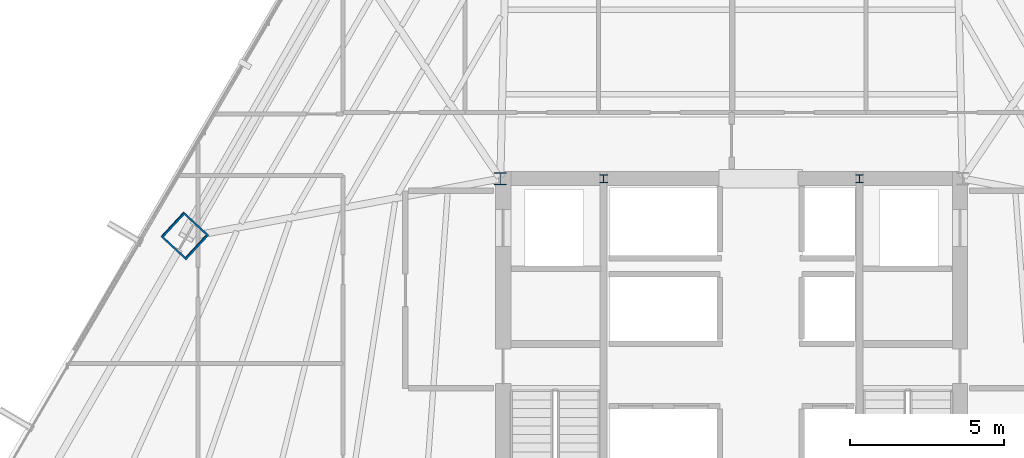
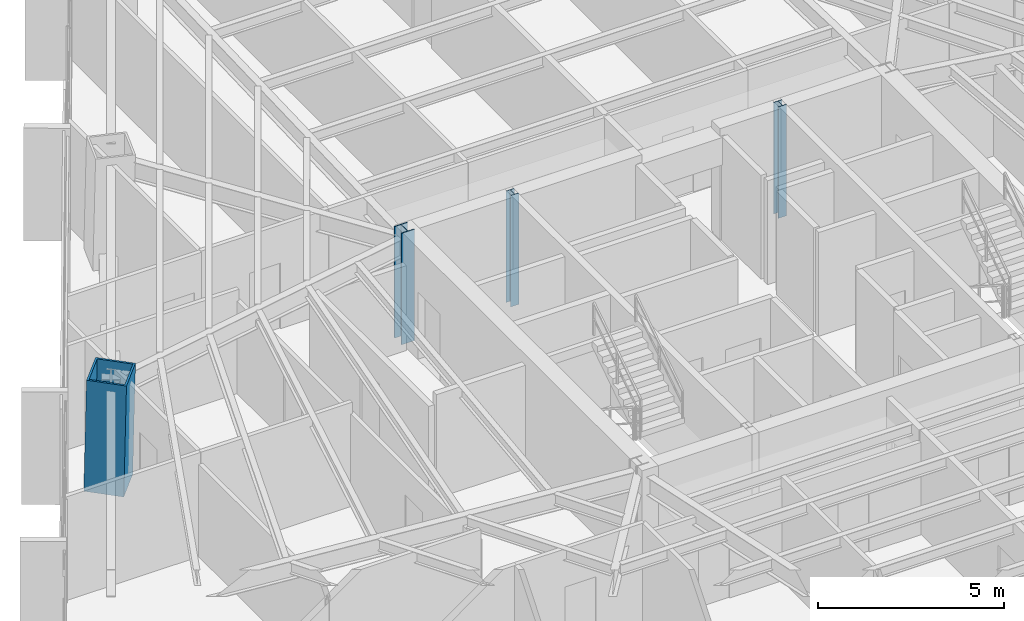
# One storey, part 2 of 37: 4 columns.
"""IFC4 building model written with IfcOpenShell, lengths in metres."""

from ifc_helpers import new_model, si_unit, direction, frame, origin, origin_2d, place, context, subcontext, project, spatial, hollow_rectangle, i_section, extrude, source, transform, mapped, material, material_profile, profile_set, type_object, type_shapes, element, save


model = new_model("IFC4")

# Units and contexts
model_context = context("Model", 3, precision=1e-05, world=origin(), true_north=direction((0.0, 1.0)))
body_context = subcontext(model_context, "Body", "Model", "MODEL_VIEW")
ifc_project = project(units=[si_unit("LENGTHUNIT", "METRE"), si_unit("AREAUNIT", "SQUARE_METRE"), si_unit("VOLUMEUNIT", "CUBIC_METRE"), si_unit("PLANEANGLEUNIT", "RADIAN"), si_unit("MASSUNIT", "GRAM", prefix="KILO")], contexts=[model_context])

# Site, building, storey
site_placement = place(None, origin())
site = spatial("IfcSite", under=ifc_project, at=site_placement, CompositionType="ELEMENT")
building_placement = place(site_placement, origin())
building = spatial("IfcBuilding", under=site, at=building_placement, Name="Caelisora Broadcast Tower", CompositionType="ELEMENT")
storey_placement = place(building_placement, frame((0.0, 0.0, 116.35009765625)))
storey = spatial("IfcBuildingStorey", under=building, at=storey_placement, Name="L30", CompositionType="ELEMENT", Elevation=116.35009765625)

# Columns
ifc_material_1 = material(Name="Steel Grade 350 (AS/NZS 3679.1)", Category="steel")
ifc_material_profile_1 = material_profile(ifc_material_1, i_section(OverallWidth=0.256103515625, OverallDepth=0.260009765625, WebThickness=0.010498046875, FlangeThickness=0.017333984375, at=origin_2d()), Name="Steel Grade 350 (AS/NZS 3679.1)")
ifc_profile_set_1 = profile_set([ifc_material_profile_1], Name="Steel Grade 350 (AS/NZS 3679.1)")
column_type_1 = type_object("IfcColumnType", Name="CC05", PredefinedType="COLUMN", material=ifc_profile_set_1)
shared_shape_1 = source(origin(), body_context, "Body", "SweptSolid", [
    extrude(i_section(OverallWidth=0.256103515625, OverallDepth=0.260009765625, WebThickness=0.010498046875, FlangeThickness=0.017333984375, at=origin_2d()), origin(), (0.0, 0.0, 1.0), 3.64990234375),
])
type_shapes(column_type_1, [shared_shape_1])
for number, where, z_axis, x_axis, name in (
    (1, (33.85009765625, 30.0, 0.0), (0.0, 0.0, 1.0), (1.0, 0.0, 0.0), "L30 column CC05"),
    (2, (42.14990234375, 30.0, 0.0), (0.0, 0.0, 1.0), (1.0, 0.0, 0.0), "L30 column CC05"),
):
    element("IfcColumn", number, at=place(storey_placement, frame(where, z_axis=z_axis, x_axis=x_axis)), inside=storey, type_object=column_type_1, Name=name, PredefinedType="COLUMN", context=body_context, shape_type="MappedRepresentation", body=[
        mapped(shared_shape_1, transform((0.0, 0.0, 0.0), scale=1.0)),
    ])
ifc_material_2 = material(Name="Steel Grade 350 (AS/NZS 3679.2)", Category="steel")
ifc_material_profile_2 = material_profile(ifc_material_2, i_section(OverallWidth=0.39990234375, OverallDepth=0.39990234375, WebThickness=0.02001953125, FlangeThickness=0.031982421875, at=origin_2d()), Name="Steel Grade 350 (AS/NZS 3679.2)")
ifc_profile_set_2 = profile_set([ifc_material_profile_2], Name="Steel Grade 350 (AS/NZS 3679.2)")
column_type_2 = type_object("IfcColumnType", Name="CC02", PredefinedType="COLUMN", material=ifc_profile_set_2)
shared_shape_2 = source(origin(), body_context, "Body", "SweptSolid", [
    extrude(i_section(OverallWidth=0.39990234375, OverallDepth=0.39990234375, WebThickness=0.02001953125, FlangeThickness=0.031982421875, at=origin_2d()), origin(), (0.0, 0.0, 1.0), 3.64990234375),
])
type_shapes(column_type_2, [shared_shape_2])
column_1_placement = place(storey_placement, frame((30.5, 30.0, 0.0), z_axis=(0.0, 0.0, 1.0), x_axis=(1.0, 0.0, 0.0)))
element("IfcColumn", 3, at=column_1_placement, inside=storey, type_object=column_type_2, Name="L30 column CC02", PredefinedType="COLUMN", context=body_context, shape_type="MappedRepresentation", body=[
    mapped(shared_shape_2, transform((0.0, 0.0, 0.0), scale=1.0)),
])
ifc_material_3 = material(Name="Steel Grade 350 L15 (AS/NZS 3678)", Category="steel")
ifc_material_profile_3 = material_profile(ifc_material_3, hollow_rectangle(XDim=1.10009765625, YDim=1.10009765625, WallThickness=0.06005859375, at=origin_2d()), Name="Steel Grade 350 L15 (AS/NZS 3678)")
ifc_profile_set_3 = profile_set([ifc_material_profile_3], Name="Steel Grade 350 L15 (AS/NZS 3678)")
column_type_3 = type_object("IfcColumnType", Name="MC03", PredefinedType="COLUMN", material=ifc_profile_set_3)
shared_shape_3 = source(origin(), body_context, "Body", "SweptSolid", [
    extrude(hollow_rectangle(XDim=1.10009765625, YDim=1.10009765625, WallThickness=0.06005859375, at=origin_2d()), origin(), (0.0, 0.0, 1.0), 3.650634765625),
])
type_shapes(column_type_3, [shared_shape_3])
column_2_placement = place(storey_placement, frame((20.2568359375, 28.152099609375, 0.0), z_axis=(0.014913313399, -0.013776424037, 0.999793880369), x_axis=(0.678553674548, 0.734550822447, 0.0)))
element("IfcColumn", 4, at=column_2_placement, inside=storey, type_object=column_type_3, Name="L30 column MC03", PredefinedType="COLUMN", context=body_context, shape_type="MappedRepresentation", body=[
    mapped(shared_shape_3, transform((0.0, 0.0, 0.0), scale=1.0)),
])

save(model, "model.ifc")
